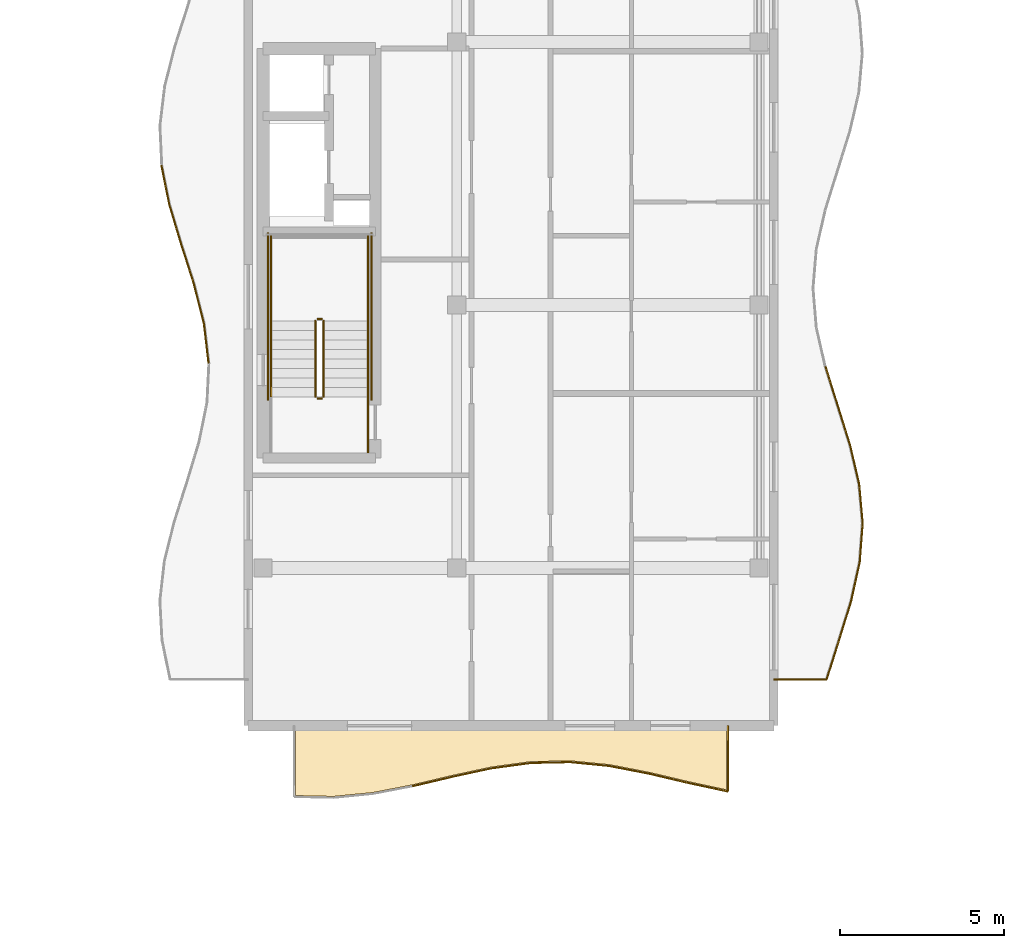
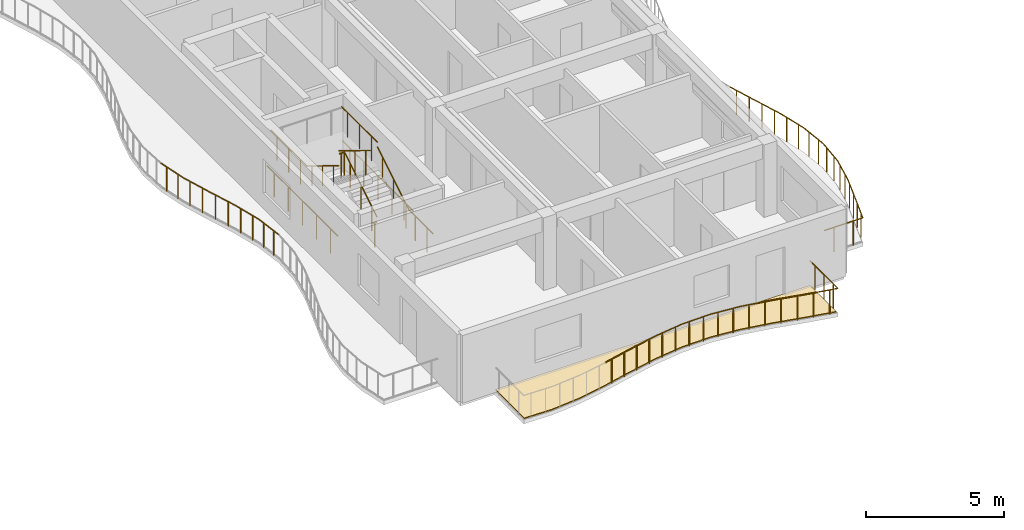
# One storey, part 49 of 68: 34 railings, 1 covering.
"""IFC4 building model written with IfcOpenShell, lengths in metres."""

from ifc_helpers import new_model, si_unit, direction, frame, origin, origin_2d, place, context, subcontext, project, spatial, polyline, circle, outline, extrude, material, layer, layer_set, type_object, element, save


model = new_model("IFC4")

# Units and contexts
model_context = context("Model", 3, precision=1e-05, world=origin(), true_north=direction((0.0, 1.0)))
body_context = subcontext(model_context, "Body", "Model", "MODEL_VIEW")
ifc_project = project(units=[si_unit("LENGTHUNIT", "METRE"), si_unit("AREAUNIT", "SQUARE_METRE"), si_unit("VOLUMEUNIT", "CUBIC_METRE"), si_unit("PLANEANGLEUNIT", "RADIAN"), si_unit("MASSUNIT", "GRAM", prefix="KILO")], contexts=[model_context])

# Site, building, storey
site_placement = place(None, origin())
site = spatial("IfcSite", under=ifc_project, at=site_placement, CompositionType="ELEMENT")
building_placement = place(site_placement, origin())
building = spatial("IfcBuilding", under=site, at=building_placement, Name="Keldmere Railside Commons", CompositionType="ELEMENT")
storey_placement = place(building_placement, frame((0.0, 0.0, 23.360107421875)))
storey = spatial("IfcBuildingStorey", under=building, at=storey_placement, Name="L07", CompositionType="ELEMENT", Elevation=23.360107421875)

# Railings
ifc_material_1 = material(Name="Steel F-24 (S235)", Category="steel")
railing_type_1 = type_object("IfcRailingType", Name="Balcony & Terrace Steel Balustrade 1100", PredefinedType="BALUSTRADE", material=ifc_material_1)
railing_1_placement = place(storey_placement, frame((64.0, 60.60009765625, 0.0)))
element("IfcRailing", 1, at=railing_1_placement, inside=storey, type_object=railing_type_1, Name="GR-1 GRD-L07-1549", PredefinedType="BALUSTRADE", context=body_context, shape_type="SweptSolid", body=[
    extrude(circle(Radius=0.02392578125, at=origin_2d()), frame((0.0, 0.0, 1.076171875), z_axis=(1.0, 0.0, 0.0), x_axis=(0.0, 1.0, 0.0)), (0.0, 0.0, 1.0), 1.6015625),
    extrude(circle(Radius=0.02099609375, at=origin_2d()), frame((0.400390625, 0.0, 0.0)), (0.0, 0.0, 1.0), 1.048095703125),
    extrude(circle(Radius=0.02099609375, at=origin_2d()), frame((1.201171875, 0.0, 0.0)), (0.0, 0.0, 1.0), 1.048095703125),
])
railing_2_placement = place(storey_placement, frame((65.6015625, 60.60009765625, 0.0)))
element("IfcRailing", 2, at=railing_2_placement, inside=storey, type_object=railing_type_1, Name="GR-1 GRD-L07-1550", PredefinedType="BALUSTRADE", context=body_context, shape_type="SweptSolid", body=[
    extrude(circle(Radius=0.02392578125, at=origin_2d()), frame((0.0, 0.0, 1.076171875), z_axis=(0.300878730392, 0.953662408611, 0.0), x_axis=(-0.953662408611, 0.300878730392, 0.0)), (0.0, 0.0, 1.0), 1.248779296875),
    extrude(circle(Radius=0.02099609375, at=origin_2d()), frame((0.093994140625, 0.2978515625, 0.0)), (0.0, 0.0, 1.0), 1.048095703125),
    extrude(circle(Radius=0.02099609375, at=origin_2d()), frame((0.28173828125, 0.89306640625, 0.0)), (0.0, 0.0, 1.0), 1.048095703125),
])
railing_3_placement = place(storey_placement, frame((65.977294921875, 61.791015625, 0.0)))
element("IfcRailing", 3, at=railing_3_placement, inside=storey, type_object=railing_type_1, Name="GR-1 GRD-L07-1551", PredefinedType="BALUSTRADE", context=body_context, shape_type="SweptSolid", body=[
    extrude(circle(Radius=0.02392578125, at=origin_2d()), frame((0.0, 0.0, 1.076171875), z_axis=(0.295764588227, 0.955260858798, 0.0), x_axis=(-0.955260858798, 0.295764588227, 0.0)), (0.0, 0.0, 1.0), 1.246337890625),
    extrude(circle(Radius=0.02099609375, at=origin_2d()), frame((0.09228515625, 0.297607421875, 0.0)), (0.0, 0.0, 1.0), 1.048095703125),
    extrude(circle(Radius=0.02099609375, at=origin_2d()), frame((0.2763671875, 0.89306640625, 0.0)), (0.0, 0.0, 1.0), 1.048095703125),
])
railing_4_placement = place(storey_placement, frame((66.345947265625, 62.981689453125, 0.0)))
element("IfcRailing", 4, at=railing_4_placement, inside=storey, type_object=railing_type_1, Name="GR-1 GRD-L07-1552", PredefinedType="BALUSTRADE", context=body_context, shape_type="SweptSolid", body=[
    extrude(circle(Radius=0.02392578125, at=origin_2d()), frame((0.0, 0.0, 1.076171875), z_axis=(0.216358237372, 0.976314044312, 0.0), x_axis=(-0.976314044312, 0.216358237372, 0.0)), (0.0, 0.0, 1.0), 1.2197265625),
    extrude(circle(Radius=0.02099609375, at=origin_2d()), frame((0.06591796875, 0.2978515625, 0.0)), (0.0, 0.0, 1.0), 1.048095703125),
    extrude(circle(Radius=0.02099609375, at=origin_2d()), frame((0.197998046875, 0.89306640625, 0.0)), (0.0, 0.0, 1.0), 1.048095703125),
])
railing_5_placement = place(storey_placement, frame((66.60986328125, 64.172607421875, 0.0)))
element("IfcRailing", 5, at=railing_5_placement, inside=storey, type_object=railing_type_1, Name="GR-1 GRD-L07-1553", PredefinedType="BALUSTRADE", context=body_context, shape_type="SweptSolid", body=[
    extrude(circle(Radius=0.02392578125, at=origin_2d()), frame((0.0, 0.0, 1.076171875), z_axis=(0.07522698817, 0.997166435582, 0.0), x_axis=(-0.997166435582, 0.07522698817, 0.0)), (0.0, 0.0, 1.0), 1.1943359375),
    extrude(circle(Radius=0.02099609375, at=origin_2d()), frame((0.0224609375, 0.2978515625, 0.0)), (0.0, 0.0, 1.0), 1.048095703125),
    extrude(circle(Radius=0.02099609375, at=origin_2d()), frame((0.0673828125, 0.89306640625, 0.0)), (0.0, 0.0, 1.0), 1.048095703125),
])
railing_6_placement = place(storey_placement, frame((66.69970703125, 65.363525390625, 0.0)))
element("IfcRailing", 6, at=railing_6_placement, inside=storey, type_object=railing_type_1, Name="GR-1 GRD-L07-1554", PredefinedType="BALUSTRADE", context=body_context, shape_type="SweptSolid", body=[
    extrude(circle(Radius=0.02392578125, at=origin_2d()), frame((0.0, 0.0, 1.076171875), z_axis=(-0.090241208061, 0.995919938734, 0.0), x_axis=(-0.995919938734, -0.090241208061, 0.0)), (0.0, 0.0, 1.0), 1.19580078125),
    extrude(circle(Radius=0.02099609375, at=origin_2d()), frame((-0.02685546875, 0.2978515625, 0.0)), (0.0, 0.0, 1.0), 1.048095703125),
    extrude(circle(Radius=0.02099609375, at=origin_2d()), frame((-0.0810546875, 0.89306640625, 0.0)), (0.0, 0.0, 1.0), 1.048095703125),
])
railing_7_placement = place(storey_placement, frame((66.591796875, 66.554443359375, 0.0)))
element("IfcRailing", 7, at=railing_7_placement, inside=storey, type_object=railing_type_1, Name="GR-1 GRD-L07-1555", PredefinedType="BALUSTRADE", context=body_context, shape_type="SweptSolid", body=[
    extrude(circle(Radius=0.02392578125, at=origin_2d()), frame((0.0, 0.0, 1.076171875), z_axis=(-0.22695826977, 0.973904483912, 0.0), x_axis=(-0.973904483912, -0.22695826977, 0.0)), (0.0, 0.0, 1.0), 1.22314453125),
    extrude(circle(Radius=0.02099609375, at=origin_2d()), frame((-0.0693359375, 0.2978515625, 0.0)), (0.0, 0.0, 1.0), 1.048095703125),
    extrude(circle(Radius=0.02099609375, at=origin_2d()), frame((-0.208251953125, 0.893310546875, 0.0)), (0.0, 0.0, 1.0), 1.048095703125),
])
railing_8_placement = place(storey_placement, frame((66.314208984375, 67.74560546875, 0.0)))
element("IfcRailing", 8, at=railing_8_placement, inside=storey, type_object=railing_type_1, Name="GR-1 GRD-L07-1556", PredefinedType="BALUSTRADE", context=body_context, shape_type="SweptSolid", body=[
    extrude(circle(Radius=0.02392578125, at=origin_2d()), frame((0.0, 0.0, 1.076171875), z_axis=(-0.299511187005, 0.95409278839, 0.0), x_axis=(-0.95409278839, -0.299511187005, 0.0)), (0.0, 0.0, 1.0), 1.248046875),
    extrude(circle(Radius=0.02099609375, at=origin_2d()), frame((-0.093505859375, 0.297607421875, 0.0)), (0.0, 0.0, 1.0), 1.048095703125),
    extrude(circle(Radius=0.02099609375, at=origin_2d()), frame((-0.2802734375, 0.89306640625, 0.0)), (0.0, 0.0, 1.0), 1.048095703125),
])
railing_9_placement = place(storey_placement, frame((65.9404296875, 68.936279296875, 0.0)))
element("IfcRailing", 9, at=railing_9_placement, inside=storey, type_object=railing_type_1, Name="GR-1 GRD-L07-1557", PredefinedType="BALUSTRADE", context=body_context, shape_type="SweptSolid", body=[
    extrude(circle(Radius=0.02392578125, at=origin_2d()), frame((0.0, 0.0, 1.076171875), z_axis=(-0.29749479852, 0.954723438936, 0.0), x_axis=(-0.954723438936, -0.29749479852, 0.0)), (0.0, 0.0, 1.0), 1.247314453125),
    extrude(circle(Radius=0.02099609375, at=origin_2d()), frame((-0.0927734375, 0.2978515625, 0.0)), (0.0, 0.0, 1.0), 1.048095703125),
    extrude(circle(Radius=0.02099609375, at=origin_2d()), frame((-0.2783203125, 0.89306640625, 0.0)), (0.0, 0.0, 1.0), 1.048095703125),
])
railing_10_placement = place(storey_placement, frame((46.795654296875, 70.2333984375, 0.0)))
element("IfcRailing", 10, at=railing_10_placement, inside=storey, type_object=railing_type_1, Name="GR-1 GRD-L07-1582", PredefinedType="BALUSTRADE", context=body_context, shape_type="SweptSolid", body=[
    extrude(circle(Radius=0.02392578125, at=origin_2d()), frame((0.0, 0.0, 1.076171875), z_axis=(-0.116397239195, 0.993202739982, 0.0), x_axis=(-0.993202739982, -0.116397239195, 0.0)), (0.0, 0.0, 1.0), 1.21240234375),
    extrude(circle(Radius=0.02099609375, at=origin_2d()), frame((-0.03515625, 0.301025390625, 0.0)), (0.0, 0.0, 1.0), 1.048095703125),
    extrude(circle(Radius=0.02099609375, at=origin_2d()), frame((-0.10595703125, 0.903076171875, 0.0)), (0.0, 0.0, 1.0), 1.048095703125),
])
railing_11_placement = place(storey_placement, frame((46.654541015625, 71.4375, 0.0)))
element("IfcRailing", 11, at=railing_11_placement, inside=storey, type_object=railing_type_1, Name="GR-1 GRD-L07-1583", PredefinedType="BALUSTRADE", context=body_context, shape_type="SweptSolid", body=[
    extrude(circle(Radius=0.02392578125, at=origin_2d()), frame((0.0, 0.0, 1.076171875), z_axis=(-0.244755307302, 0.969584880012, 0.0), x_axis=(-0.969584880012, -0.244755307302, 0.0)), (0.0, 0.0, 1.0), 1.241943359375),
    extrude(circle(Radius=0.02099609375, at=origin_2d()), frame((-0.075927734375, 0.301025390625, 0.0)), (0.0, 0.0, 1.0), 1.048095703125),
    extrude(circle(Radius=0.02099609375, at=origin_2d()), frame((-0.22802734375, 0.903076171875, 0.0)), (0.0, 0.0, 1.0), 1.048095703125),
])
railing_12_placement = place(storey_placement, frame((46.3505859375, 72.6416015625, 0.0)))
element("IfcRailing", 12, at=railing_12_placement, inside=storey, type_object=railing_type_1, Name="GR-1 GRD-L07-1584", PredefinedType="BALUSTRADE", context=body_context, shape_type="SweptSolid", body=[
    extrude(circle(Radius=0.02392578125, at=origin_2d()), frame((0.0, 0.0, 1.076171875), z_axis=(-0.3047336846, 0.952437599777, 0.0), x_axis=(-0.952437599777, -0.3047336846, 0.0)), (0.0, 0.0, 1.0), 1.26416015625),
    extrude(circle(Radius=0.02099609375, at=origin_2d()), frame((-0.09619140625, 0.301025390625, 0.0)), (0.0, 0.0, 1.0), 1.048095703125),
    extrude(circle(Radius=0.02099609375, at=origin_2d()), frame((-0.2890625, 0.903076171875, 0.0)), (0.0, 0.0, 1.0), 1.048095703125),
])
railing_13_placement = place(storey_placement, frame((45.96533203125, 73.845703125, 0.0)))
element("IfcRailing", 13, at=railing_13_placement, inside=storey, type_object=railing_type_1, Name="GR-1 GRD-L07-1585", PredefinedType="BALUSTRADE", context=body_context, shape_type="SweptSolid", body=[
    extrude(circle(Radius=0.02392578125, at=origin_2d()), frame((0.0, 0.0, 1.076171875), z_axis=(-0.288255985792, 0.957553385799, 0.0), x_axis=(-0.957553385799, -0.288255985792, 0.0)), (0.0, 0.0, 1.0), 1.2578125),
    extrude(circle(Radius=0.02099609375, at=origin_2d()), frame((-0.090576171875, 0.301025390625, 0.0)), (0.0, 0.0, 1.0), 1.048095703125),
    extrude(circle(Radius=0.02099609375, at=origin_2d()), frame((-0.27197265625, 0.9033203125, 0.0)), (0.0, 0.0, 1.0), 1.048095703125),
])
railing_14_placement = place(storey_placement, frame((45.602783203125, 75.050048828125, 0.0)))
element("IfcRailing", 14, at=railing_14_placement, inside=storey, type_object=railing_type_1, Name="GR-1 GRD-L07-1586", PredefinedType="BALUSTRADE", context=body_context, shape_type="SweptSolid", body=[
    extrude(circle(Radius=0.02392578125, at=origin_2d()), frame((0.0, 0.0, 1.076171875), z_axis=(-0.196804213469, 0.980442808919, 0.0), x_axis=(-0.980442808919, -0.196804213469, 0.0)), (0.0, 0.0, 1.0), 1.22802734375),
    extrude(circle(Radius=0.02099609375, at=origin_2d()), frame((-0.060546875, 0.301025390625, 0.0)), (0.0, 0.0, 1.0), 1.048095703125),
    extrude(circle(Radius=0.02099609375, at=origin_2d()), frame((-0.18115234375, 0.903076171875, 0.0)), (0.0, 0.0, 1.0), 1.048095703125),
])
railing_15_placement = place(storey_placement, frame((53.0, 57.359375, 0.0)))
element("IfcRailing", 15, at=railing_15_placement, inside=storey, type_object=railing_type_1, Name="GR-1 GRD-L07-1625", PredefinedType="BALUSTRADE", context=body_context, shape_type="SweptSolid", body=[
    extrude(circle(Radius=0.02392578125, at=origin_2d()), frame((0.0, 0.0, 1.076171875), z_axis=(0.973216840212, 0.229889064392, 0.0), x_axis=(-0.229889064392, 0.973216840212, 0.0)), (0.0, 0.0, 1.0), 1.23291015625),
    extrude(circle(Radius=0.02099609375, at=origin_2d()), frame((0.300048828125, 0.07080078125, 0.0)), (0.0, 0.0, 1.0), 1.048095703125),
    extrude(circle(Radius=0.02099609375, at=origin_2d()), frame((0.89990234375, 0.212646484375, 0.0)), (0.0, 0.0, 1.0), 1.048095703125),
])
railing_16_placement = place(storey_placement, frame((54.199951171875, 57.642822265625, 0.0)))
element("IfcRailing", 16, at=railing_16_placement, inside=storey, type_object=railing_type_1, Name="GR-1 GRD-L07-1626", PredefinedType="BALUSTRADE", context=body_context, shape_type="SweptSolid", body=[
    extrude(circle(Radius=0.02392578125, at=origin_2d()), frame((0.0, 0.0, 1.076171875), z_axis=(0.977525062543, 0.210819240345, 0.0), x_axis=(-0.210819240345, 0.977525062543, 0.0)), (0.0, 0.0, 1.0), 1.2275390625),
    extrude(circle(Radius=0.02099609375, at=origin_2d()), frame((0.300048828125, 0.064697265625, 0.0)), (0.0, 0.0, 1.0), 1.048095703125),
    extrude(circle(Radius=0.02099609375, at=origin_2d()), frame((0.89990234375, 0.194091796875, 0.0)), (0.0, 0.0, 1.0), 1.048095703125),
])
railing_17_placement = place(storey_placement, frame((55.39990234375, 57.901611328125, 0.0)))
element("IfcRailing", 17, at=railing_17_placement, inside=storey, type_object=railing_type_1, Name="GR-1 GRD-L07-1627", PredefinedType="BALUSTRADE", context=body_context, shape_type="SweptSolid", body=[
    extrude(circle(Radius=0.02392578125, at=origin_2d()), frame((0.0, 0.0, 1.076171875), z_axis=(0.990758899816, 0.13563481277, 0.0), x_axis=(-0.13563481277, 0.990758899816, 0.0)), (0.0, 0.0, 1.0), 1.21142578125),
    extrude(circle(Radius=0.02099609375, at=origin_2d()), frame((0.300048828125, 0.041015625, 0.0)), (0.0, 0.0, 1.0), 1.048095703125),
    extrude(circle(Radius=0.02099609375, at=origin_2d()), frame((0.900146484375, 0.123291015625, 0.0)), (0.0, 0.0, 1.0), 1.048095703125),
])
railing_18_placement = place(storey_placement, frame((56.60009765625, 58.06591796875, 0.0)))
element("IfcRailing", 18, at=railing_18_placement, inside=storey, type_object=railing_type_1, Name="GR-1 GRD-L07-1628", PredefinedType="BALUSTRADE", context=body_context, shape_type="SweptSolid", body=[
    extrude(circle(Radius=0.02392578125, at=origin_2d()), frame((0.0, 0.0, 1.076171875), z_axis=(0.999763115755, 0.021764934565, 0.0), x_axis=(-0.021764934565, 0.999763115755, 0.0)), (0.0, 0.0, 1.0), 1.2001953125),
    extrude(circle(Radius=0.02099609375, at=origin_2d()), frame((0.300048828125, 0.006591796875, 0.0)), (0.0, 0.0, 1.0), 1.048095703125),
    extrude(circle(Radius=0.02099609375, at=origin_2d()), frame((0.89990234375, 0.01953125, 0.0)), (0.0, 0.0, 1.0), 1.048095703125),
])
railing_19_placement = place(storey_placement, frame((57.800048828125, 58.092041015625, 0.0)))
element("IfcRailing", 19, at=railing_19_placement, inside=storey, type_object=railing_type_1, Name="GR-1 GRD-L07-1629", PredefinedType="BALUSTRADE", context=body_context, shape_type="SweptSolid", body=[
    extrude(circle(Radius=0.02392578125, at=origin_2d()), frame((0.0, 0.0, 1.076171875), z_axis=(0.995126989526, -0.09860159591, 0.0), x_axis=(0.09860159591, 0.995126989526, 0.0)), (0.0, 0.0, 1.0), 1.205810546875),
    extrude(circle(Radius=0.02099609375, at=origin_2d()), frame((0.300048828125, -0.02978515625, 0.0)), (0.0, 0.0, 1.0), 1.048095703125),
    extrude(circle(Radius=0.02099609375, at=origin_2d()), frame((0.89990234375, -0.089111328125, 0.0)), (0.0, 0.0, 1.0), 1.048095703125),
])
railing_20_placement = place(storey_placement, frame((59.0, 57.97314453125, 0.0)))
element("IfcRailing", 20, at=railing_20_placement, inside=storey, type_object=railing_type_1, Name="GR-1 GRD-L07-1630", PredefinedType="BALUSTRADE", context=body_context, shape_type="SweptSolid", body=[
    extrude(circle(Radius=0.02392578125, at=origin_2d()), frame((0.0, 0.0, 1.076171875), z_axis=(0.981716087357, -0.190351054171, 0.0), x_axis=(0.190351054171, 0.981716087357, 0.0)), (0.0, 0.0, 1.0), 1.222412109375),
    extrude(circle(Radius=0.02099609375, at=origin_2d()), frame((0.300048828125, -0.05810546875, 0.0)), (0.0, 0.0, 1.0), 1.048095703125),
    extrude(circle(Radius=0.02099609375, at=origin_2d()), frame((0.89990234375, -0.174560546875, 0.0)), (0.0, 0.0, 1.0), 1.048095703125),
])
railing_21_placement = place(storey_placement, frame((60.199951171875, 57.740478515625, 0.0)))
element("IfcRailing", 21, at=railing_21_placement, inside=storey, type_object=railing_type_1, Name="GR-1 GRD-L07-1631", PredefinedType="BALUSTRADE", context=body_context, shape_type="SweptSolid", body=[
    extrude(circle(Radius=0.02392578125, at=origin_2d()), frame((0.0, 0.0, 1.076171875), z_axis=(0.973261125206, -0.229701506661, 0.0), x_axis=(0.229701506661, 0.973261125206, 0.0)), (0.0, 0.0, 1.0), 1.23291015625),
    extrude(circle(Radius=0.02099609375, at=origin_2d()), frame((0.300048828125, -0.07080078125, 0.0)), (0.0, 0.0, 1.0), 1.048095703125),
    extrude(circle(Radius=0.02099609375, at=origin_2d()), frame((0.89990234375, -0.21240234375, 0.0)), (0.0, 0.0, 1.0), 1.048095703125),
])
railing_22_placement = place(storey_placement, frame((61.39990234375, 57.457275390625, 0.0)))
element("IfcRailing", 22, at=railing_22_placement, inside=storey, type_object=railing_type_1, Name="GR-1 GRD-L07-1632", PredefinedType="BALUSTRADE", context=body_context, shape_type="SweptSolid", body=[
    extrude(circle(Radius=0.02392578125, at=origin_2d()), frame((0.0, 0.0, 1.076171875), z_axis=(0.977533899409, -0.210778261467, 0.0), x_axis=(0.210778261467, 0.977533899409, 0.0)), (0.0, 0.0, 1.0), 1.227783203125),
    extrude(circle(Radius=0.02099609375, at=origin_2d()), frame((0.300048828125, -0.064697265625, 0.0)), (0.0, 0.0, 1.0), 1.048095703125),
    extrude(circle(Radius=0.02099609375, at=origin_2d()), frame((0.900146484375, -0.194091796875, 0.0)), (0.0, 0.0, 1.0), 1.048095703125),
])
railing_23_placement = place(storey_placement, frame((62.60009765625, 57.198486328125, 0.0)))
element("IfcRailing", 23, at=railing_23_placement, inside=storey, type_object=railing_type_1, Name="GR-1 GRD-L07-1633", PredefinedType="BALUSTRADE", context=body_context, shape_type="SweptSolid", body=[
    extrude(circle(Radius=0.02392578125, at=origin_2d()), frame((0.0, 0.0, 1.076171875), z_axis=(0.0, 1.0, 0.0), x_axis=(-1.0, 0.0, 0.0)), (0.0, 0.0, 1.0), 2.00146484375),
    extrude(circle(Radius=0.02099609375, at=origin_2d()), frame((0.0, 0.33349609375, 0.0)), (0.0, 0.0, 1.0), 1.048095703125),
    extrude(circle(Radius=0.02099609375, at=origin_2d()), frame((0.0, 1.000732421875, 0.0)), (0.0, 0.0, 1.0), 1.048095703125),
    extrude(circle(Radius=0.02099609375, at=origin_2d()), frame((0.0, 1.66796875, 0.0)), (0.0, 0.0, 1.0), 1.048095703125),
])
railing_type_2 = type_object("IfcRailingType", Name="Stair Well Steel Guardrail 1100", PredefinedType="BALUSTRADE", material=ifc_material_1)
railing_24_placement = place(storey_placement, frame((50.300048828125, 69.199951171875, 0.177734375)))
element("IfcRailing", 24, at=railing_24_placement, inside=storey, type_object=railing_type_2, Name="L07 ST-C1 stair guard 1", PredefinedType="BALUSTRADE", context=body_context, shape_type="SweptSolid", body=[
    extrude(circle(Radius=0.02392578125, at=origin_2d()), frame((0.0, 0.0, 1.076171875), z_axis=(0.0, 0.852578041948, 0.522599925744), x_axis=(-1.0, 0.0, 0.0)), (0.0, 0.0, 1.0), 2.72119140625),
    extrude(circle(Radius=0.02099609375, at=origin_2d()), frame((0.0, 0.38671875, 0.237060546875)), (0.0, 0.0, 1.0), 1.048095703125),
    extrude(circle(Radius=0.02099609375, at=origin_2d()), frame((0.0, 1.16015625, 0.7109375)), (0.0, 0.0, 1.0), 1.048095703125),
    extrude(circle(Radius=0.02099609375, at=origin_2d()), frame((0.0, 1.933349609375, 1.18505859375)), (0.0, 0.0, 1.0), 1.048095703125),
])
railing_25_placement = place(storey_placement, frame((50.25, 71.570068359375, 1.599853515625)))
element("IfcRailing", 25, at=railing_25_placement, inside=storey, type_object=railing_type_2, Name="L07 ST-C1 stair guard 2", PredefinedType="BALUSTRADE", context=body_context, shape_type="SweptSolid", body=[
    extrude(circle(Radius=0.02392578125, at=origin_2d()), frame((0.0, 0.0, 1.076171875), z_axis=(-1.0, 0.0, 0.0), x_axis=(0.0, -1.0, 0.0)), (0.0, 0.0, 1.0), 0.14990234375),
    extrude(circle(Radius=0.02099609375, at=origin_2d()), frame((-0.074951171875, 0.0, 0.0)), (0.0, 0.0, 1.0), 1.048095703125),
])
for number, where, name in (
    (26, (51.64990234375, 71.52001953125, 1.599853515625), "L07 ST-C1 stair guard 3"),
    (27, (48.699951171875, 71.52001953125, 1.599853515625), "L07 ST-C1 stair guard 4"),
):
    element("IfcRailing", number, at=place(storey_placement, frame(where)), inside=storey, type_object=railing_type_2, Name=name, PredefinedType="BALUSTRADE", context=body_context, shape_type="SweptSolid", body=[
        extrude(circle(Radius=0.02392578125, at=origin_2d()), frame((0.0, 0.0, 1.076171875), z_axis=(0.0, 1.0, 0.0), x_axis=(-1.0, 0.0, 0.0)), (0.0, 0.0, 1.0), 2.580078125),
        extrude(circle(Radius=0.02099609375, at=origin_2d()), frame((0.0, 0.429931640625, 0.0)), (0.0, 0.0, 1.0), 1.048095703125),
        extrude(circle(Radius=0.02099609375, at=origin_2d()), frame((0.0, 1.2900390625, 0.0)), (0.0, 0.0, 1.0), 1.048095703125),
        extrude(circle(Radius=0.02099609375, at=origin_2d()), frame((0.0, 2.150146484375, 0.0)), (0.0, 0.0, 1.0), 1.048095703125),
    ])
railing_26_placement = place(storey_placement, frame((50.050048828125, 71.52001953125, 1.777587890625)))
element("IfcRailing", 28, at=railing_26_placement, inside=storey, type_object=railing_type_2, Name="L07 ST-C1 stair guard 6", PredefinedType="BALUSTRADE", context=body_context, shape_type="SweptSolid", body=[
    extrude(circle(Radius=0.02392578125, at=origin_2d()), frame((0.0, 0.0, 1.076171875), z_axis=(0.0, -0.852538067394, 0.522665135287), x_axis=(1.0, 0.0, 0.0)), (0.0, 0.0, 1.0), 2.721435546875),
    extrude(circle(Radius=0.02099609375, at=origin_2d()), frame((0.0, -0.38671875, 0.237060546875)), (0.0, 0.0, 1.0), 1.048095703125),
    extrude(circle(Radius=0.02099609375, at=origin_2d()), frame((0.0, -1.16015625, 0.711181640625)), (0.0, 0.0, 1.0), 1.048095703125),
    extrude(circle(Radius=0.02099609375, at=origin_2d()), frame((0.0, -1.933349609375, 1.185302734375)), (0.0, 0.0, 1.0), 1.048095703125),
])
railing_27_placement = place(storey_placement, frame((50.25, 69.14990234375, 0.0)))
element("IfcRailing", 29, at=railing_27_placement, inside=storey, type_object=railing_type_2, Name="L07 ST-C1 stair guard 7", PredefinedType="BALUSTRADE", context=body_context, shape_type="SweptSolid", body=[
    extrude(circle(Radius=0.02392578125, at=origin_2d()), frame((0.0, 0.0, 1.076171875), z_axis=(-1.0, 0.0, 0.0), x_axis=(0.0, -1.0, 0.0)), (0.0, 0.0, 1.0), 0.14990234375),
    extrude(circle(Radius=0.02099609375, at=origin_2d()), frame((-0.074951171875, 0.0, 0.0)), (0.0, 0.0, 1.0), 1.048095703125),
])
railing_28_placement = place(storey_placement, frame((51.64990234375, 67.5, 0.0)))
element("IfcRailing", 30, at=railing_28_placement, inside=storey, type_object=railing_type_2, Name="L07 ST-C1 stair guard 8", PredefinedType="BALUSTRADE", context=body_context, shape_type="SweptSolid", body=[
    extrude(circle(Radius=0.02392578125, at=origin_2d()), frame((0.0, 0.0, 1.076171875), z_axis=(0.0, 1.0, 0.0), x_axis=(-1.0, 0.0, 0.0)), (0.0, 0.0, 1.0), 1.699951171875),
    extrude(circle(Radius=0.02099609375, at=origin_2d()), frame((0.0, 0.425048828125, 0.0)), (0.0, 0.0, 1.0), 1.048095703125),
    extrude(circle(Radius=0.02099609375, at=origin_2d()), frame((0.0, 1.27490234375, 0.0)), (0.0, 0.0, 1.0), 1.048095703125),
])
for number, where, name in (
    (31, (51.75, 69.10009765625, 0.0), "L07 ST-C1 stair guard 10"),
    (32, (48.60009765625, 69.10009765625, 0.0), "L07 ST-C1 stair guard 11"),
):
    element("IfcRailing", number, at=place(storey_placement, frame(where)), inside=storey, type_object=railing_type_2, Name=name, PredefinedType="BALUSTRADE", context=body_context, shape_type="SweptSolid", body=[
        extrude(circle(Radius=0.02392578125, at=origin_2d()), frame((0.0, 0.0, 1.076171875), z_axis=(0.0, 1.0, 0.0), x_axis=(-1.0, 0.0, 0.0)), (0.0, 0.0, 1.0), 5.099853515625),
        extrude(circle(Radius=0.02099609375, at=origin_2d()), frame((0.0, 0.510009765625, 0.0)), (0.0, 0.0, 1.0), 1.048095703125),
        extrude(circle(Radius=0.02099609375, at=origin_2d()), frame((0.0, 1.530029296875, 0.0)), (0.0, 0.0, 1.0), 1.048095703125),
        extrude(circle(Radius=0.02099609375, at=origin_2d()), frame((0.0, 2.5498046875, 0.0)), (0.0, 0.0, 1.0), 1.048095703125),
        extrude(circle(Radius=0.02099609375, at=origin_2d()), frame((0.0, 3.56982421875, 0.0)), (0.0, 0.0, 1.0), 1.048095703125),
        extrude(circle(Radius=0.02099609375, at=origin_2d()), frame((0.0, 4.58984375, 0.0)), (0.0, 0.0, 1.0), 1.048095703125),
    ])
railing_type_3 = type_object("IfcRailingType", Name="Wall-Mounted Tubular Steel Handrail 900", PredefinedType="HANDRAIL", material=ifc_material_1)
railing_29_placement = place(storey_placement, frame((51.64990234375, 69.199951171875, 0.177734375)))
element("IfcRailing", 33, at=railing_29_placement, inside=storey, type_object=railing_type_3, Name="L07 ST-C1 stair handrail 1", PredefinedType="HANDRAIL", context=body_context, shape_type="SweptSolid", body=[
    extrude(circle(Radius=0.02392578125, at=origin_2d()), frame((0.0, 0.0, 0.8759765625), z_axis=(0.0, 0.852578041948, 0.522599925744), x_axis=(-1.0, 0.0, 0.0)), (0.0, 0.0, 1.0), 2.72119140625),
    extrude(circle(Radius=0.02099609375, at=origin_2d()), frame((0.0, 0.38671875, 0.237060546875)), (0.0, 0.0, 1.0), 0.847900390625),
    extrude(circle(Radius=0.02099609375, at=origin_2d()), frame((0.0, 1.16015625, 0.7109375)), (0.0, 0.0, 1.0), 0.847900390625),
    extrude(circle(Radius=0.02099609375, at=origin_2d()), frame((0.0, 1.933349609375, 1.18505859375)), (0.0, 0.0, 1.0), 0.847900390625),
])
railing_30_placement = place(storey_placement, frame((48.699951171875, 71.52001953125, 1.777587890625)))
element("IfcRailing", 34, at=railing_30_placement, inside=storey, type_object=railing_type_3, Name="L07 ST-C1 stair handrail 2", PredefinedType="HANDRAIL", context=body_context, shape_type="SweptSolid", body=[
    extrude(circle(Radius=0.02392578125, at=origin_2d()), frame((0.0, 0.0, 0.8759765625), z_axis=(0.0, -0.852538067394, 0.522665135287), x_axis=(1.0, 0.0, 0.0)), (0.0, 0.0, 1.0), 2.721435546875),
    extrude(circle(Radius=0.02099609375, at=origin_2d()), frame((0.0, -0.38671875, 0.237060546875)), (0.0, 0.0, 1.0), 0.847900390625),
    extrude(circle(Radius=0.02099609375, at=origin_2d()), frame((0.0, -1.16015625, 0.711181640625)), (0.0, 0.0, 1.0), 0.847900390625),
    extrude(circle(Radius=0.02099609375, at=origin_2d()), frame((0.0, -1.933349609375, 1.185302734375)), (0.0, 0.0, 1.0), 0.847900390625),
])

# Covering
ifc_material_2 = material(Name="White Precast Concrete C35/45", Category="concrete")
ifc_layer = layer(ifc_material_2, 0.044921875, Name="White Architectural Balcony Ribbon Cladding 45")
ifc_layer_set = layer_set([ifc_layer], Name="White Precast Concrete C35/45")
covering_type = type_object("IfcCoveringType", Name="White Architectural Balcony Ribbon Cladding 45", PredefinedType="FLOORING", material=ifc_layer_set)
covering_placement = place(storey_placement, origin())
element("IfcCovering", 35, at=covering_placement, inside=storey, type_object=covering_type, Name="CLG-WB C L07 S White Balcony Ribbon", PredefinedType="FLOORING", context=body_context, shape_type="SweptSolid", body=[
    extrude(outline(polyline([(50.598388671875, 57.0478515625), (51.794189453125, 57.16650390625), (52.99169921875, 57.3984375), (54.19091796875, 57.681640625), (54.191650390625, 57.681884765625), (55.3916015625, 57.940673828125), (55.39453125, 57.941162109375), (56.594482421875, 58.10546875), (56.59912109375, 58.10595703125), (57.799072265625, 58.132080078125), (57.803955078125, 58.1318359375), (59.00390625, 58.012939453125), (59.007568359375, 58.012451171875), (60.20751953125, 57.77978515625), (60.209228515625, 57.779541015625), (61.40869140625, 57.49609375), (62.56005859375, 57.248046875), (62.56005859375, 59.159912109375), (49.43994140625, 59.159912109375), (49.43994140625, 57.0732421875), (50.598388671875, 57.0478515625)])), origin(), (0.0, 0.0, 1.0), 0.044921875),
])

save(model, "model.ifc")
